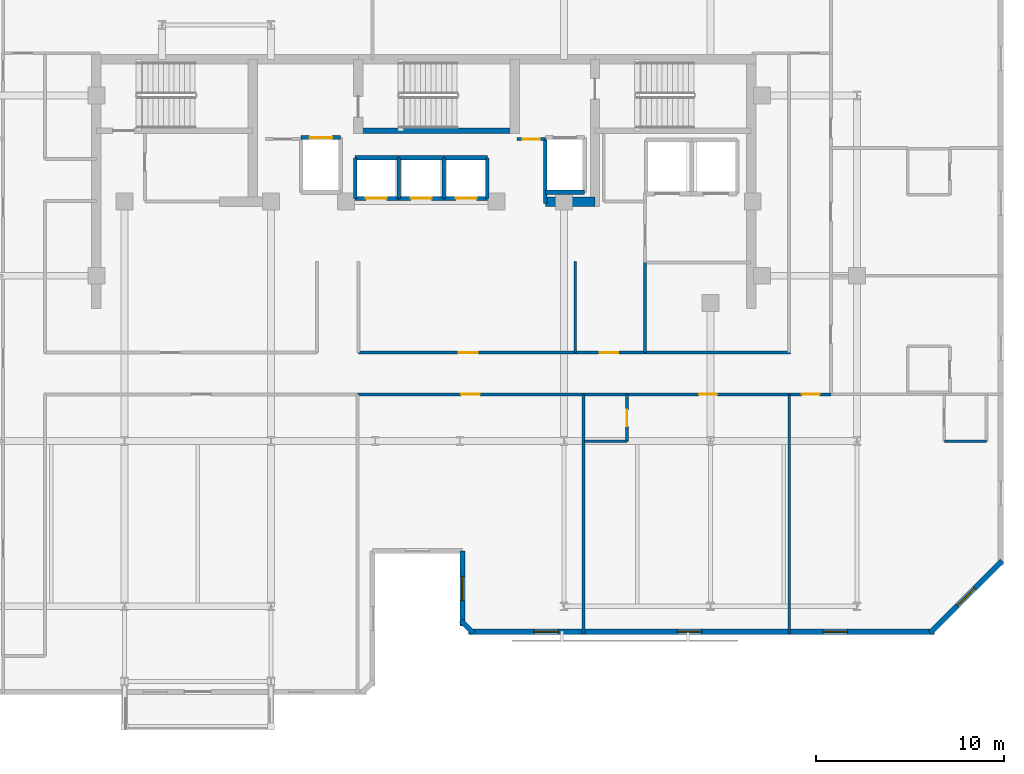
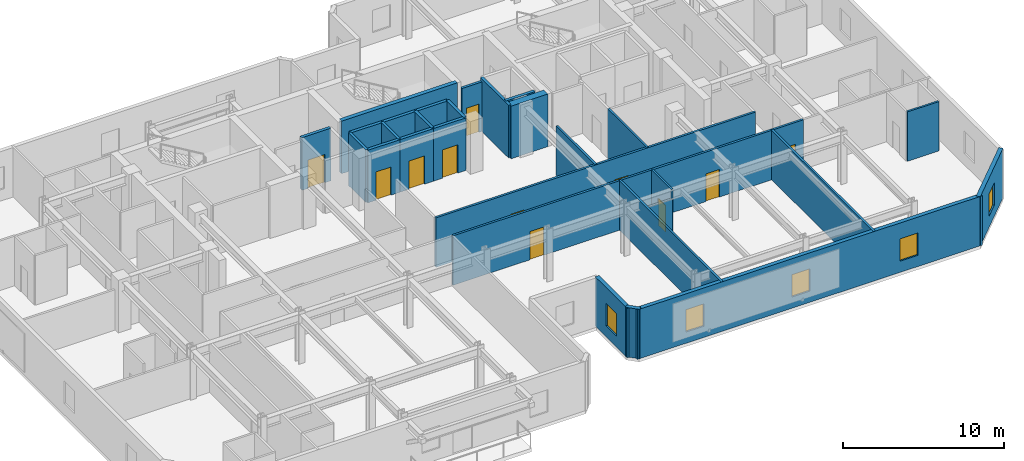
# One storey, part 5 of 10: 29 walls, 11 doors, 5 windows, 16 openings.
"""IFC4 building model written with IfcOpenShell, lengths in metres."""

from ifc_helpers import new_model, si_unit, direction, frame, frame_2d, origin, place, context, subcontext, project, spatial, rectangle, extrude, material, layer, layer_set, type_object, element, fill, save


model = new_model("IFC4")

# Units and contexts
model_context = context("Model", 3, precision=1e-05, world=origin(), true_north=direction((0.0, 1.0)))
body_context = subcontext(model_context, "Body", "Model", "MODEL_VIEW")
ifc_project = project(units=[si_unit("LENGTHUNIT", "METRE"), si_unit("AREAUNIT", "SQUARE_METRE"), si_unit("VOLUMEUNIT", "CUBIC_METRE"), si_unit("PLANEANGLEUNIT", "RADIAN"), si_unit("MASSUNIT", "GRAM", prefix="KILO")], contexts=[model_context])

# Site, building, storey
site_placement = place(None, origin())
site = spatial("IfcSite", under=ifc_project, at=site_placement, CompositionType="ELEMENT")
building_placement = place(site_placement, origin())
building = spatial("IfcBuilding", under=site, at=building_placement, Name="Kestravale Grand Hotel", CompositionType="ELEMENT")
storey_placement = place(building_placement, frame((0.0, 0.0, 277.39990234375)))
storey = spatial("IfcBuildingStorey", under=building, at=storey_placement, Name="L69", CompositionType="ELEMENT", Elevation=277.39990234375)

# Wall
ifc_material_1 = material(Name="Concrete f'c 50 MPa", Category="concrete")
ifc_layer_1 = layer(ifc_material_1, 0.5)
ifc_layer_set_1 = layer_set([ifc_layer_1], Name="EW-CORE-500")
wall_type_1 = type_object("IfcWallType", Name="EW-CORE-500", PredefinedType="SHEAR", material=ifc_layer_set_1)
wall_1_placement = place(storey_placement, frame((45.81005859375, 32.75, 0.0), z_axis=(0.0, 0.0, 1.0), x_axis=(1.0, 0.0, 0.0)))
element("IfcWall", 1, at=wall_1_placement, inside=storey, type_object=wall_type_1, Name="L69 core shear wall S2", PredefinedType="SHEAR", context=body_context, shape_type="SweptSolid", body=[
    extrude(rectangle(XDim=2.639892578125, YDim=0.5, at=frame_2d((1.31982421875, 0.0))), origin(), (0.0, 0.0, 1.0), 4.0),
])

# Wall, opening, window
ifc_material_2 = material(Name="Precast concrete f'c 45 MPa", Category="concrete")
ifc_layer_2 = layer(ifc_material_2, 0.280029296875)
ifc_layer_set_2 = layer_set([ifc_layer_2], Name="EW-PREC-280")
wall_type_2 = type_object("IfcWallType", Name="EW-PREC-280", PredefinedType="SOLIDWALL", material=ifc_layer_set_2)
wall_2_placement = place(storey_placement, frame((41.389892578125, 14.139892578125, 0.0), z_axis=(0.0, 0.0, 1.0), x_axis=(0.0, -1.0, 0.0)))
wall_2 = element("IfcWall", 2, at=wall_2_placement, inside=storey, type_object=wall_type_2, Name="L69 fluted precast facade wall 5", PredefinedType="SOLIDWALL", context=body_context, shape_type="SweptSolid", body=[
    extrude(rectangle(XDim=3.97998046875, YDim=0.280029296875, at=frame_2d((1.989990234375, 0.0))), origin(), (0.0, 0.0, 1.0), 3.760009765625),
])
opening_1_placement = place(wall_2_placement, frame((1.340087890625, 0.0, 0.85009765625)))
opening_1 = element("IfcOpeningElement", 3, at=opening_1_placement, cuts=wall_2, Name="Opening W-GUEST-1300", PredefinedType="OPENING", context=body_context, shape_type="SweptSolid", body=[
    extrude(rectangle(XDim=1.300048828125, YDim=1.699951171875, at=frame_2d((0.64990234375, 0.85009765625))), frame((0.0, 0.14990234375, 0.0), z_axis=(0.0, -1.0, 0.0), x_axis=(1.0, 0.0, 0.0)), (0.0, 0.0, 1.0), 0.300048828125),
])
ifc_material_3 = material(Name="Insulated low-E double glazing in aluminium frame", Category="aluminium")
window_type = type_object("IfcWindowType", Name="W-GUEST-1300", PartitioningType="SINGLE_PANEL", PredefinedType="WINDOW", material=ifc_material_3)
window_1_placement = place(opening_1_placement, origin())
window_1 = element("IfcWindow", 4, at=window_1_placement, inside=storey, type_object=window_type, Name="L69 exterior window 5.1", OverallHeight=1.699951171875, OverallWidth=1.300048828125, PartitioningType="SINGLE_PANEL", PredefinedType="WINDOW", context=body_context, shape_type="SweptSolid", body=[
    extrude(rectangle(XDim=1.300048828125, YDim=1.699951171875, at=frame_2d((0.64990234375, 0.85009765625))), frame((0.0, 0.030029296875, 0.0), z_axis=(0.0, -1.0, 0.0), x_axis=(1.0, 0.0, 0.0)), (0.0, 0.0, 1.0), 0.06005859375),
])
fill(opening_1, window_1)

# Wall
wall_3_placement = place(storey_placement, frame((41.32080078125, 10.42724609375, 0.0), z_axis=(0.0, 0.0, 1.0), x_axis=(0.707106781187, -0.707106781187, 0.0)))
element("IfcWall", 5, at=wall_3_placement, inside=storey, type_object=wall_type_2, Name="L69 fluted precast facade wall 6", PredefinedType="SOLIDWALL", context=body_context, shape_type="SweptSolid", body=[
    extrude(rectangle(XDim=0.928466796875, YDim=0.280029296875, at=frame_2d((0.46435546875, 0.0))), origin(), (0.0, 0.0, 1.0), 3.760009765625),
])

# Wall, openings, windows
wall_4_placement = place(storey_placement, frame((41.7099609375, 9.840087890625, 0.0), z_axis=(0.0, 0.0, 1.0), x_axis=(1.0, 0.0, 0.0)))
wall_4 = element("IfcWall", 6, at=wall_4_placement, inside=storey, type_object=wall_type_2, Name="L69 fluted precast facade wall 7", PredefinedType="SOLIDWALL", context=body_context, shape_type="SweptSolid", body=[
    extrude(rectangle(XDim=24.830078125, YDim=0.280029296875, at=frame_2d((12.4150390625, 0.0))), origin(), (0.0, 0.0, 1.0), 3.760009765625),
])
opening_2_placement = place(wall_4_placement, frame((3.48828125, 0.0, 0.85009765625)))
opening_2 = element("IfcOpeningElement", 7, at=opening_2_placement, cuts=wall_4, Name="Opening W-GUEST-1300", PredefinedType="OPENING", context=body_context, shape_type="SweptSolid", body=[
    extrude(rectangle(XDim=1.300048828125, YDim=1.699951171875, at=frame_2d((0.64990234375, 0.85009765625))), frame((0.0, 0.14990234375, 0.0), z_axis=(0.0, -1.0, 0.0), x_axis=(1.0, 0.0, 0.0)), (0.0, 0.0, 1.0), 0.300048828125),
])
opening_3_placement = place(wall_4_placement, frame((11.114990234375, 0.0, 0.85009765625)))
opening_3 = element("IfcOpeningElement", 8, at=opening_3_placement, cuts=wall_4, Name="Opening W-GUEST-1300", PredefinedType="OPENING", context=body_context, shape_type="SweptSolid", body=[
    extrude(rectangle(XDim=1.300048828125, YDim=1.699951171875, at=frame_2d((0.64990234375, 0.85009765625))), frame((0.0, 0.14990234375, 0.0), z_axis=(0.0, -1.0, 0.0), x_axis=(1.0, 0.0, 0.0)), (0.0, 0.0, 1.0), 0.300048828125),
])
opening_4_placement = place(wall_4_placement, frame((18.8916015625, 0.0, 0.85009765625)))
opening_4 = element("IfcOpeningElement", 9, at=opening_4_placement, cuts=wall_4, Name="Opening W-GUEST-1300", PredefinedType="OPENING", context=body_context, shape_type="SweptSolid", body=[
    extrude(rectangle(XDim=1.300048828125, YDim=1.699951171875, at=frame_2d((0.64990234375, 0.85009765625))), frame((0.0, 0.14990234375, 0.0), z_axis=(0.0, -1.0, 0.0), x_axis=(1.0, 0.0, 0.0)), (0.0, 0.0, 1.0), 0.300048828125),
])
window_2_placement = place(opening_2_placement, origin())
window_2 = element("IfcWindow", 10, at=window_2_placement, inside=storey, type_object=window_type, Name="L69 exterior window 7.1", OverallHeight=1.699951171875, OverallWidth=1.300048828125, PartitioningType="SINGLE_PANEL", PredefinedType="WINDOW", context=body_context, shape_type="SweptSolid", body=[
    extrude(rectangle(XDim=1.300048828125, YDim=1.699951171875, at=frame_2d((0.64990234375, 0.85009765625))), frame((0.0, 0.030029296875, 0.0), z_axis=(0.0, -1.0, 0.0), x_axis=(1.0, 0.0, 0.0)), (0.0, 0.0, 1.0), 0.06005859375),
])
fill(opening_2, window_2)
window_3_placement = place(opening_3_placement, origin())
window_3 = element("IfcWindow", 11, at=window_3_placement, inside=storey, type_object=window_type, Name="L69 exterior window 7.2", OverallHeight=1.699951171875, OverallWidth=1.300048828125, PartitioningType="SINGLE_PANEL", PredefinedType="WINDOW", context=body_context, shape_type="SweptSolid", body=[
    extrude(rectangle(XDim=1.300048828125, YDim=1.699951171875, at=frame_2d((0.64990234375, 0.85009765625))), frame((0.0, 0.030029296875, 0.0), z_axis=(0.0, -1.0, 0.0), x_axis=(1.0, 0.0, 0.0)), (0.0, 0.0, 1.0), 0.06005859375),
])
fill(opening_3, window_3)
window_4_placement = place(opening_4_placement, origin())
window_4 = element("IfcWindow", 12, at=window_4_placement, inside=storey, type_object=window_type, Name="L69 exterior window 7.3", OverallHeight=1.699951171875, OverallWidth=1.300048828125, PartitioningType="SINGLE_PANEL", PredefinedType="WINDOW", context=body_context, shape_type="SweptSolid", body=[
    extrude(rectangle(XDim=1.300048828125, YDim=1.699951171875, at=frame_2d((0.64990234375, 0.85009765625))), frame((0.0, 0.030029296875, 0.0), z_axis=(0.0, -1.0, 0.0), x_axis=(1.0, 0.0, 0.0)), (0.0, 0.0, 1.0), 0.06005859375),
])
fill(opening_4, window_4)

# Wall, opening, window
wall_5_placement = place(storey_placement, frame((66.272705078125, 9.770751953125, 0.0), z_axis=(0.0, 0.0, 1.0), x_axis=(0.707129162587, 0.707084399077, 0.0)))
wall_5 = element("IfcWall", 13, at=wall_5_placement, inside=storey, type_object=wall_type_2, Name="L69 fluted precast facade wall 8", PredefinedType="SOLIDWALL", context=body_context, shape_type="SweptSolid", body=[
    extrude(rectangle(XDim=5.4541015625, YDim=0.280029296875, at=frame_2d((2.72705078125, 0.0))), origin(), (0.0, 0.0, 1.0), 3.760009765625),
])
opening_5_placement = place(wall_5_placement, frame((2.076904296875, 0.0, 0.85009765625)))
opening_5 = element("IfcOpeningElement", 14, at=opening_5_placement, cuts=wall_5, Name="Opening W-GUEST-1300", PredefinedType="OPENING", context=body_context, shape_type="SweptSolid", body=[
    extrude(rectangle(XDim=1.300048828125, YDim=1.699951171875, at=frame_2d((0.64990234375, 0.85009765625))), frame((0.0, 0.14990234375, 0.0), z_axis=(0.0, -1.0, 0.0), x_axis=(1.0, 0.0, 0.0)), (0.0, 0.0, 1.0), 0.300048828125),
])
window_5_placement = place(opening_5_placement, origin())
window_5 = element("IfcWindow", 15, at=window_5_placement, inside=storey, type_object=window_type, Name="L69 exterior window 8.1", OverallHeight=1.699951171875, OverallWidth=1.300048828125, PartitioningType="SINGLE_PANEL", PredefinedType="WINDOW", context=body_context, shape_type="SweptSolid", body=[
    extrude(rectangle(XDim=1.300048828125, YDim=1.699951171875, at=frame_2d((0.64990234375, 0.85009765625))), frame((0.0, 0.030029296875, 0.0), z_axis=(0.0, -1.0, 0.0), x_axis=(1.0, 0.0, 0.0)), (0.0, 0.0, 1.0), 0.06005859375),
])
fill(opening_5, window_5)

# Wall
ifc_material_4 = material(Name="Concrete f'c 45 MPa", Category="concrete")
ifc_layer_3 = layer(ifc_material_4, 0.300048828125)
ifc_layer_set_3 = layer_set([ifc_layer_3], Name="EW-STAIR-300")
wall_type_3 = type_object("IfcWallType", Name="EW-STAIR-300", PredefinedType="SHEAR", material=ifc_layer_set_3)
wall_6_placement = place(storey_placement, frame((35.85009765625, 36.52001953125, 0.0), z_axis=(0.0, 0.0, 1.0), x_axis=(1.0, 0.0, 0.0)))
element("IfcWall", 16, at=wall_6_placement, inside=storey, type_object=wall_type_3, Name="L69 stair enclosure shear wall SST2", PredefinedType="SHEAR", context=body_context, shape_type="SweptSolid", body=[
    extrude(rectangle(XDim=8.329833984375, YDim=0.300048828125, at=frame_2d((4.1650390625, 0.0))), origin(), (0.0, 0.0, 1.0), 4.0),
])

# Wall, openings, doors
ifc_material_5 = material(Name="Acoustic fire-rated gypsum board partition", Category="other")
ifc_layer_4 = layer(ifc_material_5, 0.159912109375)
ifc_layer_set_4 = layer_set([ifc_layer_4], Name="IW-CORR-160")
wall_type_4 = type_object("IfcWallType", Name="IW-CORR-160", PredefinedType="PARTITIONING", material=ifc_layer_set_4)
wall_7_placement = place(storey_placement, frame((35.85009765625, 24.7099609375, 0.0), z_axis=(0.0, 0.0, 1.0), x_axis=(1.0, 0.0, 0.0)))
wall_7 = element("IfcWall", 17, at=wall_7_placement, inside=storey, type_object=wall_type_4, Name="W-L69-CE-N", PredefinedType="PARTITIONING", context=body_context, shape_type="SweptSolid", body=[
    extrude(rectangle(XDim=23.0, YDim=0.159912109375, at=frame_2d((11.5, 0.0))), origin(), (0.0, 0.0, 1.0), 3.760009765625),
])
opening_6_placement = place(wall_7_placement, frame((5.35009765625, 0.0, 0.0)))
opening_6 = element("IfcOpeningElement", 18, at=opening_6_placement, cuts=wall_7, Name="Opening D-GUEST-1000", PredefinedType="OPENING", context=body_context, shape_type="SweptSolid", body=[
    extrude(rectangle(XDim=1.0, YDim=2.14990234375, at=frame_2d((0.5, 1.074951171875))), frame((0.0, 0.08984375, 0.0), z_axis=(0.0, -1.0, 0.0), x_axis=(1.0, 0.0, 0.0)), (0.0, 0.0, 1.0), 0.179931640625),
])
opening_7_placement = place(wall_7_placement, frame((12.85009765625, 0.0, 0.0)))
opening_7 = element("IfcOpeningElement", 19, at=opening_7_placement, cuts=wall_7, Name="Opening D-GUEST-1000", PredefinedType="OPENING", context=body_context, shape_type="SweptSolid", body=[
    extrude(rectangle(XDim=1.0, YDim=2.14990234375, at=frame_2d((0.5, 1.074951171875))), frame((0.0, 0.08984375, 0.0), z_axis=(0.0, -1.0, 0.0), x_axis=(1.0, 0.0, 0.0)), (0.0, 0.0, 1.0), 0.179931640625),
])
ifc_material_6 = material(Name="Accessible walnut veneer hotel entrance fire door", Category="wood")
door_type_1 = type_object("IfcDoorType", Name="D-GUEST-1000", OperationType="NOTDEFINED", PredefinedType="DOOR", material=ifc_material_6)
door_1_placement = place(opening_6_placement, origin())
door_1 = element("IfcDoor", 20, at=door_1_placement, inside=storey, type_object=door_type_1, Name="D-L69-RECL-E1", OperationType="SINGLE_SWING_LEFT", OverallHeight=2.14990234375, OverallWidth=1.0, PredefinedType="DOOR", context=body_context, shape_type="SweptSolid", body=[
    extrude(rectangle(XDim=1.0, YDim=2.14990234375, at=frame_2d((0.5, 1.074951171875))), frame((0.0, 0.02490234375, 0.0), z_axis=(0.0, -1.0, 0.0), x_axis=(1.0, 0.0, 0.0)), (0.0, 0.0, 1.0), 0.050048828125),
])
fill(opening_6, door_1)
door_2_placement = place(opening_7_placement, origin())
door_2 = element("IfcDoor", 21, at=door_2_placement, inside=storey, type_object=door_type_1, Name="D-L69-RECL-E2", OperationType="SINGLE_SWING_RIGHT", OverallHeight=2.14990234375, OverallWidth=1.0, PredefinedType="DOOR", context=body_context, shape_type="SweptSolid", body=[
    extrude(rectangle(XDim=1.0, YDim=2.14990234375, at=frame_2d((0.5, 1.074951171875))), frame((0.0, 0.02490234375, 0.0), z_axis=(0.0, -1.0, 0.0), x_axis=(1.0, 0.0, 0.0)), (0.0, 0.0, 1.0), 0.050048828125),
])
fill(opening_7, door_2)

wall_8_placement = place(storey_placement, frame((35.800048828125, 22.489990234375, 0.0), z_axis=(0.0, 0.0, 1.0), x_axis=(1.0, 0.0, 0.0)))
wall_8 = element("IfcWall", 22, at=wall_8_placement, inside=storey, type_object=wall_type_4, Name="W-L69-CE-S", PredefinedType="PARTITIONING", context=body_context, shape_type="SweptSolid", body=[
    extrude(rectangle(XDim=25.2099609375, YDim=0.159912109375, at=frame_2d((12.60498046875, 0.0))), origin(), (0.0, 0.0, 1.0), 3.760009765625),
])
opening_8_placement = place(wall_8_placement, frame((5.5224609375, 0.0, 0.0)))
opening_8 = element("IfcOpeningElement", 23, at=opening_8_placement, cuts=wall_8, Name="Opening D-GUEST-1000", PredefinedType="OPENING", context=body_context, shape_type="SweptSolid", body=[
    extrude(rectangle(XDim=1.0, YDim=2.14990234375, at=frame_2d((0.5, 1.074951171875))), frame((0.0, 0.08984375, 0.0), z_axis=(0.0, -1.0, 0.0), x_axis=(1.0, 0.0, 0.0)), (0.0, 0.0, 1.0), 0.179931640625),
])
opening_9_placement = place(wall_8_placement, frame((18.197509765625, 0.0, 0.0)))
opening_9 = element("IfcOpeningElement", 24, at=opening_9_placement, cuts=wall_8, Name="Opening D-GUEST-950", PredefinedType="OPENING", context=body_context, shape_type="SweptSolid", body=[
    extrude(rectangle(XDim=0.949951171875, YDim=2.10009765625, at=frame_2d((0.47509765625, 1.050048828125))), frame((0.0, 0.08984375, 0.0), z_axis=(0.0, -1.0, 0.0), x_axis=(1.0, 0.0, 0.0)), (0.0, 0.0, 1.0), 0.179931640625),
])
opening_10_placement = place(wall_8_placement, frame((23.6650390625, 0.0, 0.0)))
opening_10 = element("IfcOpeningElement", 25, at=opening_10_placement, cuts=wall_8, Name="Opening D-GUEST-950", PredefinedType="OPENING", context=body_context, shape_type="SweptSolid", body=[
    extrude(rectangle(XDim=0.949951171875, YDim=2.10009765625, at=frame_2d((0.47509765625, 1.050048828125))), frame((0.0, 0.08984375, 0.0), z_axis=(0.0, -1.0, 0.0), x_axis=(1.0, 0.0, 0.0)), (0.0, 0.0, 1.0), 0.179931640625),
])
door_3_placement = place(opening_8_placement, origin())
door_3 = element("IfcDoor", 26, at=door_3_placement, inside=storey, type_object=door_type_1, Name="D-L69-AME", OperationType="SINGLE_SWING_RIGHT", OverallHeight=2.14990234375, OverallWidth=1.0, PredefinedType="DOOR", context=body_context, shape_type="SweptSolid", body=[
    extrude(rectangle(XDim=1.0, YDim=2.14990234375, at=frame_2d((0.5, 1.074951171875))), frame((0.0, 0.02490234375, 0.0), z_axis=(0.0, -1.0, 0.0), x_axis=(1.0, 0.0, 0.0)), (0.0, 0.0, 1.0), 0.050048828125),
])
fill(opening_8, door_3)
ifc_material_7 = material(Name="Walnut veneer hotel guestroom entrance fire door", Category="wood")
door_type_2 = type_object("IfcDoorType", Name="D-GUEST-950", OperationType="NOTDEFINED", PredefinedType="DOOR", material=ifc_material_7)
door_4_placement = place(opening_9_placement, origin())
door_4 = element("IfcDoor", 27, at=door_4_placement, inside=storey, type_object=door_type_2, Name="D-L69-U01-ENT", OperationType="SINGLE_SWING_RIGHT", OverallHeight=2.10009765625, OverallWidth=0.949951171875, PredefinedType="DOOR", context=body_context, shape_type="SweptSolid", body=[
    extrude(rectangle(XDim=0.949951171875, YDim=2.10009765625, at=frame_2d((0.47509765625, 1.050048828125))), frame((0.0, 0.02490234375, 0.0), z_axis=(0.0, -1.0, 0.0), x_axis=(1.0, 0.0, 0.0)), (0.0, 0.0, 1.0), 0.050048828125),
])
fill(opening_9, door_4)
door_5_placement = place(opening_10_placement, origin())
door_5 = element("IfcDoor", 28, at=door_5_placement, inside=storey, type_object=door_type_2, Name="D-L69-U05-ENT", OperationType="SINGLE_SWING_LEFT", OverallHeight=2.10009765625, OverallWidth=0.949951171875, PredefinedType="DOOR", context=body_context, shape_type="SweptSolid", body=[
    extrude(rectangle(XDim=0.949951171875, YDim=2.10009765625, at=frame_2d((0.47509765625, 1.050048828125))), frame((0.0, 0.02490234375, 0.0), z_axis=(0.0, -1.0, 0.0), x_axis=(1.0, 0.0, 0.0)), (0.0, 0.0, 1.0), 0.050048828125),
])
fill(opening_10, door_5)

# Wall, opening, door
ifc_material_8 = material(Name="Fire-rated gypsum board on steel studs with mineral wool", Category="steel")
ifc_layer_5 = layer(ifc_material_8, 0.179931640625)
ifc_layer_set_5 = layer_set([ifc_layer_5], Name="IW-FSAE-180")
wall_type_5 = type_object("IfcWallType", Name="IW-FSAE-180", PredefinedType="PARTITIONING", material=ifc_layer_set_5)
wall_9_placement = place(storey_placement, frame((44.300048828125, 36.080078125, 0.0), z_axis=(0.0, 0.0, 1.0), x_axis=(1.0, 0.0, 0.0)))
wall_9 = element("IfcWall", 29, at=wall_9_placement, inside=storey, type_object=wall_type_5, Name="L69 FSAE Lobby 2 smoke barrier", PredefinedType="PARTITIONING", context=body_context, shape_type="SweptSolid", body=[
    extrude(rectangle(XDim=1.5, YDim=0.179931640625, at=frame_2d((0.75, 0.0))), origin(), (0.0, 0.0, 1.0), 3.760009765625),
])
opening_11_placement = place(wall_9_placement, frame((0.300048828125, 0.0, 0.0)))
opening_11 = element("IfcOpeningElement", 30, at=opening_11_placement, cuts=wall_9, Name="Opening D-FSAE-1000", PredefinedType="OPENING", context=body_context, shape_type="SweptSolid", body=[
    extrude(rectangle(XDim=0.89990234375, YDim=2.14990234375, at=frame_2d((0.449951171875, 1.074951171875))), frame((0.0, 0.099853515625, 0.0), z_axis=(0.0, -1.0, 0.0), x_axis=(1.0, 0.0, 0.0)), (0.0, 0.0, 1.0), 0.199951171875),
])
ifc_material_9 = material(Name="Smoke-gasketed FSAE lobby fire door", Category="steel")
door_type_3 = type_object("IfcDoorType", Name="D-FSAE-1000", OperationType="NOTDEFINED", PredefinedType="DOOR", material=ifc_material_9)
door_6_placement = place(opening_11_placement, origin())
door_6 = element("IfcDoor", 31, at=door_6_placement, inside=storey, type_object=door_type_3, Name="L69 FSAE Lobby 2 fire door", OperationType="SINGLE_SWING_LEFT", OverallHeight=2.14990234375, OverallWidth=0.89990234375, PredefinedType="DOOR", context=body_context, shape_type="SweptSolid", body=[
    extrude(rectangle(XDim=0.89990234375, YDim=2.14990234375, at=frame_2d((0.449951171875, 1.074951171875))), frame((0.0, 0.02490234375, 0.0), z_axis=(0.0, -1.0, 0.0), x_axis=(1.0, 0.0, 0.0)), (0.0, 0.0, 1.0), 0.050048828125),
])
fill(opening_11, door_6)

ifc_material_10 = material(Name="Moisture-resistant tile-backer plumbing chase wall", Category="other")
ifc_layer_6 = layer(ifc_material_10, 0.139892578125)
ifc_layer_set_6 = layer_set([ifc_layer_6], Name="IW-PLB-140")
wall_type_6 = type_object("IfcWallType", Name="IW-PLB-140", PredefinedType="PLUMBINGWALL", material=ifc_layer_set_6)
wall_10_placement = place(storey_placement, frame((50.155029296875, 19.97998046875, 0.0), z_axis=(0.0, 0.0, 1.0), x_axis=(0.0, 1.0, 0.0)))
wall_10 = element("IfcWall", 32, at=wall_10_placement, inside=storey, type_object=wall_type_6, Name="W-L69-U01-BE", PredefinedType="PLUMBINGWALL", context=body_context, shape_type="SweptSolid", body=[
    extrude(rectangle(XDim=2.489990234375, YDim=0.139892578125, at=frame_2d((1.2451171875, 0.0))), origin(), (0.0, 0.0, 1.0), 3.760009765625),
])
opening_12_placement = place(wall_10_placement, frame((0.804931640625, 0.0, 0.0)))
opening_12 = element("IfcOpeningElement", 33, at=opening_12_placement, cuts=wall_10, Name="Opening D-BATH-880", PredefinedType="OPENING", context=body_context, shape_type="SweptSolid", body=[
    extrude(rectangle(XDim=0.8798828125, YDim=2.050048828125, at=frame_2d((0.43994140625, 1.02490234375))), frame((0.0, 0.079833984375, 0.0), z_axis=(0.0, -1.0, 0.0), x_axis=(1.0, 0.0, 0.0)), (0.0, 0.0, 1.0), 0.159912109375),
])
ifc_material_11 = material(Name="Moisture-sealed walnut en-suite bathroom door", Category="wood")
door_type_4 = type_object("IfcDoorType", Name="D-BATH-880", OperationType="NOTDEFINED", PredefinedType="DOOR", material=ifc_material_11)
door_7_placement = place(opening_12_placement, origin())
door_7 = element("IfcDoor", 34, at=door_7_placement, inside=storey, type_object=door_type_4, Name="D-L69-U01-BATH", OperationType="SINGLE_SWING_LEFT", OverallHeight=2.050048828125, OverallWidth=0.8798828125, PredefinedType="DOOR", context=body_context, shape_type="SweptSolid", body=[
    extrude(rectangle(XDim=0.8798828125, YDim=2.050048828125, at=frame_2d((0.43994140625, 1.02490234375))), frame((0.0, 0.02490234375, 0.0), z_axis=(0.0, -1.0, 0.0), x_axis=(1.0, 0.0, 0.0)), (0.0, 0.0, 1.0), 0.050048828125),
])
fill(opening_12, door_7)

# Walls
wall_11_placement = place(storey_placement, frame((47.905029296875, 19.97998046875, 0.0), z_axis=(0.0, 0.0, 1.0), x_axis=(1.0, 0.0, 0.0)))
element("IfcWall", 35, at=wall_11_placement, inside=storey, type_object=wall_type_6, Name="W-L69-U01-BS", PredefinedType="PLUMBINGWALL", context=body_context, shape_type="SweptSolid", body=[
    extrude(rectangle(XDim=2.25, YDim=0.139892578125, at=frame_2d((1.125, 0.0))), origin(), (0.0, 0.0, 1.0), 3.064208984375),
])
wall_12_placement = place(storey_placement, frame((67.050048828125, 19.97998046875, 0.0), z_axis=(0.0, 0.0, 1.0), x_axis=(1.0, 0.0, 0.0)))
element("IfcWall", 36, at=wall_12_placement, inside=storey, type_object=wall_type_6, Name="W-L69-U05-BS", PredefinedType="PLUMBINGWALL", context=body_context, shape_type="SweptSolid", body=[
    extrude(rectangle(XDim=2.25, YDim=0.139892578125, at=frame_2d((1.125, 0.0))), origin(), (0.0, 0.0, 1.0), 3.760009765625),
])
ifc_material_12 = material(Name="Concrete f'c 45 MPa", Category="concrete")
ifc_layer_7 = layer(ifc_material_12, 0.199951171875)
ifc_layer_set_7 = layer_set([ifc_layer_7], Name="IW-SHAFT-200")
wall_type_7 = type_object("IfcWallType", Name="IW-SHAFT-200", PredefinedType="SHEAR", material=ifc_layer_set_7)
for number, where, z_axis, x_axis, name in (
    (37, (35.679931640625, 32.919921875, 0.0), (0.0, 0.0, 1.0), (0.0, 1.0, 0.0), "L69 PL-X1 west shaft wall"),
    (38, (38.0, 32.919921875, 0.0), (0.0, 0.0, 1.0), (0.0, 1.0, 0.0), "L69 PL-X2 west shaft wall"),
    (39, (40.39990234375, 32.919921875, 0.0), (0.0, 0.0, 1.0), (0.0, 1.0, 0.0), "L69 PL-X3 west shaft wall"),
    (40, (42.719970703125, 32.919921875, 0.0), (0.0, 0.0, 1.0), (0.0, 1.0, 0.0), "L69 PL-X3 east shaft wall"),
):
    element("IfcWall", number, at=place(storey_placement, frame(where, z_axis=z_axis, x_axis=x_axis)), inside=storey, type_object=wall_type_7, Name=name, PredefinedType="SHEAR", context=body_context, shape_type="SweptSolid", body=[
        extrude(rectangle(XDim=2.16015625, YDim=0.199951171875, at=frame_2d((1.080078125, 0.0))), origin(), (0.0, 0.0, 1.0), 4.0),
    ])
wall_13_placement = place(storey_placement, frame((45.804931640625, 32.64990234375, 0.0), z_axis=(0.0, 0.0, 1.0), x_axis=(0.0, 1.0, 0.0)))
element("IfcWall", 41, at=wall_13_placement, inside=storey, type_object=wall_type_7, Name="L69 FL-2 west shaft wall", PredefinedType="SHEAR", context=body_context, shape_type="SweptSolid", body=[
    extrude(rectangle(XDim=3.505126953125, YDim=0.199951171875, at=frame_2d((1.75244140625, 0.0))), origin(), (0.0, 0.0, 1.0), 4.0),
])
ifc_material_13 = material(Name="Concrete f'c 45 MPa", Category="concrete")
ifc_layer_8 = layer(ifc_material_13, 0.219970703125)
ifc_layer_set_8 = layer_set([ifc_layer_8], Name="IW-SHAFT-220")
wall_type_8 = type_object("IfcWallType", Name="IW-SHAFT-220", PredefinedType="SHEAR", material=ifc_layer_set_8)
wall_14_placement = place(storey_placement, frame((35.679931640625, 35.080078125, 0.0), z_axis=(0.0, 0.0, 1.0), x_axis=(1.0, 0.0, 0.0)))
element("IfcWall", 42, at=wall_14_placement, inside=storey, type_object=wall_type_8, Name="L69 PL-X1 north shaft wall", PredefinedType="SHEAR", context=body_context, shape_type="SweptSolid", body=[
    extrude(rectangle(XDim=2.320068359375, YDim=0.219970703125, at=frame_2d((1.16015625, 0.0))), origin(), (0.0, 0.0, 1.0), 4.0),
])

# Wall, opening, door
wall_15_placement = place(storey_placement, frame((35.679931640625, 32.919921875, 0.0), z_axis=(0.0, 0.0, 1.0), x_axis=(1.0, 0.0, 0.0)))
wall_15 = element("IfcWall", 43, at=wall_15_placement, inside=storey, type_object=wall_type_8, Name="L69 PL-X1 south shaft wall", PredefinedType="SHEAR", context=body_context, shape_type="SweptSolid", body=[
    extrude(rectangle(XDim=2.320068359375, YDim=0.219970703125, at=frame_2d((1.16015625, 0.0))), origin(), (0.0, 0.0, 1.0), 4.0),
])
opening_13_placement = place(wall_15_placement, frame((0.570068359375, 0.0, 0.0)))
opening_13 = element("IfcOpeningElement", 44, at=opening_13_placement, cuts=wall_15, Name="Opening LD-PAX-1100", PredefinedType="OPENING", context=body_context, shape_type="SweptSolid", body=[
    extrude(rectangle(XDim=1.10009765625, YDim=2.14990234375, at=frame_2d((0.550048828125, 1.074951171875))), frame((0.0, 0.119873046875, 0.0), z_axis=(0.0, -1.0, 0.0), x_axis=(1.0, 0.0, 0.0)), (0.0, 0.0, 1.0), 0.239990234375),
])
ifc_material_14 = material(Name="Champagne-bronze center-opening sliding elevator landing door", Category="steel")
door_type_5 = type_object("IfcDoorType", Name="LD-PAX-1100", OperationType="NOTDEFINED", PredefinedType="DOOR", material=ifc_material_14)
door_8_placement = place(opening_13_placement, origin())
door_8 = element("IfcDoor", 45, at=door_8_placement, inside=storey, type_object=door_type_5, Name="L69 PL-X1 elevator landing sliding door", OperationType="DOUBLE_DOOR_SLIDING", OverallHeight=2.14990234375, OverallWidth=1.10009765625, PredefinedType="DOOR", context=body_context, shape_type="SweptSolid", body=[
    extrude(rectangle(XDim=1.10009765625, YDim=2.14990234375, at=frame_2d((0.550048828125, 1.074951171875))), frame((0.0, 0.02490234375, 0.0), z_axis=(0.0, -1.0, 0.0), x_axis=(1.0, 0.0, 0.0)), (0.0, 0.0, 1.0), 0.050048828125),
])
fill(opening_13, door_8)

# Wall
wall_16_placement = place(storey_placement, frame((38.0, 35.080078125, 0.0), z_axis=(0.0, 0.0, 1.0), x_axis=(1.0, 0.0, 0.0)))
element("IfcWall", 46, at=wall_16_placement, inside=storey, type_object=wall_type_8, Name="L69 PL-X2 north shaft wall", PredefinedType="SHEAR", context=body_context, shape_type="SweptSolid", body=[
    extrude(rectangle(XDim=2.39990234375, YDim=0.219970703125, at=frame_2d((1.199951171875, 0.0))), origin(), (0.0, 0.0, 1.0), 4.0),
])

# Wall, opening, door
wall_17_placement = place(storey_placement, frame((38.0, 32.919921875, 0.0), z_axis=(0.0, 0.0, 1.0), x_axis=(1.0, 0.0, 0.0)))
wall_17 = element("IfcWall", 47, at=wall_17_placement, inside=storey, type_object=wall_type_8, Name="L69 PL-X2 south shaft wall", PredefinedType="SHEAR", context=body_context, shape_type="SweptSolid", body=[
    extrude(rectangle(XDim=2.39990234375, YDim=0.219970703125, at=frame_2d((1.199951171875, 0.0))), origin(), (0.0, 0.0, 1.0), 4.0),
])
opening_14_placement = place(wall_17_placement, frame((0.64990234375, 0.0, 0.0)))
opening_14 = element("IfcOpeningElement", 48, at=opening_14_placement, cuts=wall_17, Name="Opening LD-PAX-1100", PredefinedType="OPENING", context=body_context, shape_type="SweptSolid", body=[
    extrude(rectangle(XDim=1.10009765625, YDim=2.14990234375, at=frame_2d((0.550048828125, 1.074951171875))), frame((0.0, 0.119873046875, 0.0), z_axis=(0.0, -1.0, 0.0), x_axis=(1.0, 0.0, 0.0)), (0.0, 0.0, 1.0), 0.239990234375),
])
door_9_placement = place(opening_14_placement, origin())
door_9 = element("IfcDoor", 49, at=door_9_placement, inside=storey, type_object=door_type_5, Name="L69 PL-X2 elevator landing sliding door", OperationType="DOUBLE_DOOR_SLIDING", OverallHeight=2.14990234375, OverallWidth=1.10009765625, PredefinedType="DOOR", context=body_context, shape_type="SweptSolid", body=[
    extrude(rectangle(XDim=1.10009765625, YDim=2.14990234375, at=frame_2d((0.550048828125, 1.074951171875))), frame((0.0, 0.02490234375, 0.0), z_axis=(0.0, -1.0, 0.0), x_axis=(1.0, 0.0, 0.0)), (0.0, 0.0, 1.0), 0.050048828125),
])
fill(opening_14, door_9)

# Wall
wall_18_placement = place(storey_placement, frame((40.39990234375, 35.080078125, 0.0), z_axis=(0.0, 0.0, 1.0), x_axis=(1.0, 0.0, 0.0)))
element("IfcWall", 50, at=wall_18_placement, inside=storey, type_object=wall_type_8, Name="L69 PL-X3 north shaft wall", PredefinedType="SHEAR", context=body_context, shape_type="SweptSolid", body=[
    extrude(rectangle(XDim=2.320068359375, YDim=0.219970703125, at=frame_2d((1.16015625, 0.0))), origin(), (0.0, 0.0, 1.0), 4.0),
])

# Wall, opening, door
wall_19_placement = place(storey_placement, frame((40.39990234375, 32.919921875, 0.0), z_axis=(0.0, 0.0, 1.0), x_axis=(1.0, 0.0, 0.0)))
wall_19 = element("IfcWall", 51, at=wall_19_placement, inside=storey, type_object=wall_type_8, Name="L69 PL-X3 south shaft wall", PredefinedType="SHEAR", context=body_context, shape_type="SweptSolid", body=[
    extrude(rectangle(XDim=2.320068359375, YDim=0.219970703125, at=frame_2d((1.16015625, 0.0))), origin(), (0.0, 0.0, 1.0), 4.0),
])
opening_15_placement = place(wall_19_placement, frame((0.64990234375, 0.0, 0.0)))
opening_15 = element("IfcOpeningElement", 52, at=opening_15_placement, cuts=wall_19, Name="Opening LD-PAX-1100", PredefinedType="OPENING", context=body_context, shape_type="SweptSolid", body=[
    extrude(rectangle(XDim=1.10009765625, YDim=2.14990234375, at=frame_2d((0.550048828125, 1.074951171875))), frame((0.0, 0.119873046875, 0.0), z_axis=(0.0, -1.0, 0.0), x_axis=(1.0, 0.0, 0.0)), (0.0, 0.0, 1.0), 0.239990234375),
])
door_10_placement = place(opening_15_placement, origin())
door_10 = element("IfcDoor", 53, at=door_10_placement, inside=storey, type_object=door_type_5, Name="L69 PL-X3 elevator landing sliding door", OperationType="DOUBLE_DOOR_SLIDING", OverallHeight=2.14990234375, OverallWidth=1.10009765625, PredefinedType="DOOR", context=body_context, shape_type="SweptSolid", body=[
    extrude(rectangle(XDim=1.10009765625, YDim=2.14990234375, at=frame_2d((0.550048828125, 1.074951171875))), frame((0.0, 0.02490234375, 0.0), z_axis=(0.0, -1.0, 0.0), x_axis=(1.0, 0.0, 0.0)), (0.0, 0.0, 1.0), 0.050048828125),
])
fill(opening_15, door_10)

wall_20_placement = place(storey_placement, frame((32.804931640625, 36.155029296875, 0.0), z_axis=(0.0, 0.0, 1.0), x_axis=(1.0, 0.0, 0.0)))
wall_20 = element("IfcWall", 54, at=wall_20_placement, inside=storey, type_object=wall_type_8, Name="L69 FL-1 north shaft wall", PredefinedType="SHEAR", context=body_context, shape_type="SweptSolid", body=[
    extrude(rectangle(XDim=2.090087890625, YDim=0.219970703125, at=frame_2d((1.044921875, 0.0))), origin(), (0.0, 0.0, 1.0), 4.0),
])
opening_16_placement = place(wall_20_placement, frame((0.445068359375, 0.0, 0.0)))
opening_16 = element("IfcOpeningElement", 55, at=opening_16_placement, cuts=wall_20, Name="Opening LD-FSAE-1200", PredefinedType="OPENING", context=body_context, shape_type="SweptSolid", body=[
    extrude(rectangle(XDim=1.199951171875, YDim=2.14990234375, at=frame_2d((0.60009765625, 1.074951171875))), frame((0.0, 0.119873046875, 0.0), z_axis=(0.0, -1.0, 0.0), x_axis=(1.0, 0.0, 0.0)), (0.0, 0.0, 1.0), 0.239990234375),
])
ifc_material_15 = material(Name="Stainless fire-service sliding elevator landing door", Category="steel")
door_type_6 = type_object("IfcDoorType", Name="LD-FSAE-1200", OperationType="NOTDEFINED", PredefinedType="DOOR", material=ifc_material_15)
door_11_placement = place(opening_16_placement, origin())
door_11 = element("IfcDoor", 56, at=door_11_placement, inside=storey, type_object=door_type_6, Name="L69 FL-1 elevator landing sliding door", OperationType="DOUBLE_DOOR_SLIDING", OverallHeight=2.14990234375, OverallWidth=1.199951171875, PredefinedType="DOOR", context=body_context, shape_type="SweptSolid", body=[
    extrude(rectangle(XDim=1.199951171875, YDim=2.14990234375, at=frame_2d((0.60009765625, 1.074951171875))), frame((0.0, 0.02490234375, 0.0), z_axis=(0.0, -1.0, 0.0), x_axis=(1.0, 0.0, 0.0)), (0.0, 0.0, 1.0), 0.050048828125),
])
fill(opening_16, door_11)

# Walls
wall_21_placement = place(storey_placement, frame((45.804931640625, 33.2451171875, 0.0), z_axis=(0.0, 0.0, 1.0), x_axis=(1.0, 0.0, 0.0)))
element("IfcWall", 57, at=wall_21_placement, inside=storey, type_object=wall_type_8, Name="L69 FL-2 south shaft wall", PredefinedType="SHEAR", context=body_context, shape_type="SweptSolid", body=[
    extrude(rectangle(XDim=2.090087890625, YDim=0.219970703125, at=frame_2d((1.044921875, 0.0))), origin(), (0.0, 0.0, 1.0), 4.0),
])
ifc_material_16 = material(Name="Double-stud STC 52 acoustic demising partition", Category="other")
ifc_layer_9 = layer(ifc_material_16, 0.14990234375)
ifc_layer_set_9 = layer_set([ifc_layer_9], Name="IW-UNIT-150")
wall_type_9 = type_object("IfcWallType", Name="IW-UNIT-150", PredefinedType="PARTITIONING", material=ifc_layer_set_9)
for number, where, z_axis, x_axis, name in (
    (58, (47.39990234375, 24.7099609375, 0.0), (0.0, 0.0, 1.0), (0.0, 1.0, 0.0), "W-L69-RCLE-M"),
    (59, (51.1201171875, 24.7099609375, 0.0), (0.0, 0.0, 1.0), (0.0, 1.0, 0.0), "W-L69-RCLE-E"),
):
    element("IfcWall", number, at=place(storey_placement, frame(where, z_axis=z_axis, x_axis=x_axis)), inside=storey, type_object=wall_type_9, Name=name, PredefinedType="PARTITIONING", context=body_context, shape_type="SweptSolid", body=[
        extrude(rectangle(XDim=4.840087890625, YDim=0.14990234375, at=frame_2d((2.419921875, 0.0))), origin(), (0.0, 0.0, 1.0), 3.760009765625),
    ])
for number, where, z_axis, x_axis, name in (
    (60, (47.844970703125, 9.719970703125, 0.0), (0.0, 0.0, 1.0), (0.0, 1.0, 0.0), "W-L69-ES-1"),
    (61, (58.7900390625, 9.719970703125, 0.0), (0.0, 0.0, 1.0), (0.0, 1.0, 0.0), "W-L69-SEC-W"),
):
    element("IfcWall", number, at=place(storey_placement, frame(where, z_axis=z_axis, x_axis=x_axis)), inside=storey, type_object=wall_type_9, Name=name, PredefinedType="PARTITIONING", context=body_context, shape_type="SweptSolid", body=[
        extrude(rectangle(XDim=12.77001953125, YDim=0.14990234375, at=frame_2d((6.385009765625, 0.0))), origin(), (0.0, 0.0, 1.0), 3.760009765625),
    ])

save(model, "model.ifc")
